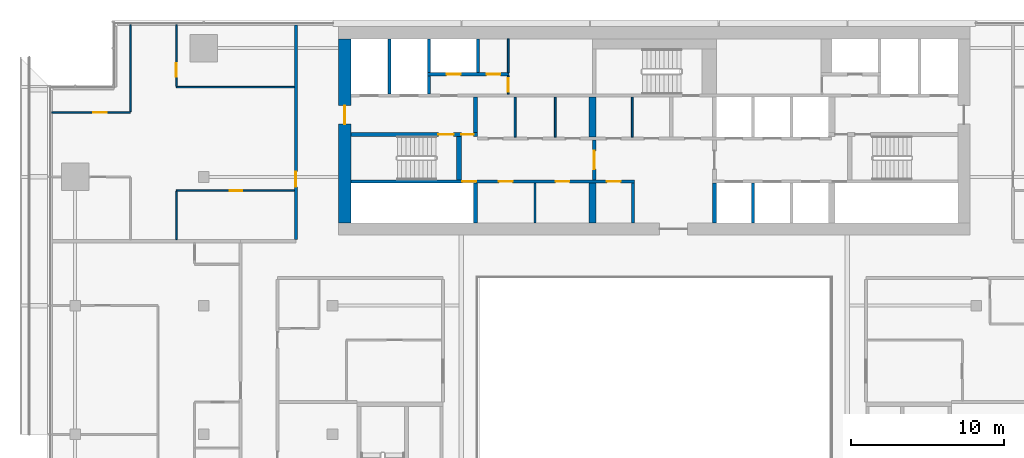
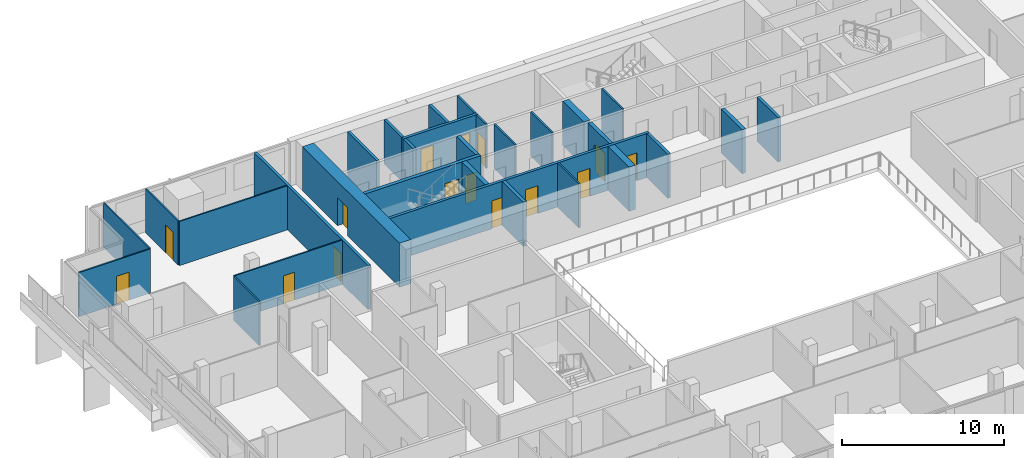
# One storey, part 19 of 27: 30 walls, 15 doors, 15 openings.
"""IFC4 building model written with IfcOpenShell, lengths in metres."""

from ifc_helpers import new_model, si_unit, direction, frame, frame_2d, origin, place, context, subcontext, project, spatial, rectangle, extrude, material, layer, layer_set, type_object, element, fill, save


model = new_model("IFC4")

# Units and contexts
model_context = context("Model", 3, precision=1e-05, world=origin(), true_north=direction((0.0, 1.0)))
body_context = subcontext(model_context, "Body", "Model", "MODEL_VIEW")
ifc_project = project(units=[si_unit("LENGTHUNIT", "METRE"), si_unit("AREAUNIT", "SQUARE_METRE"), si_unit("VOLUMEUNIT", "CUBIC_METRE"), si_unit("PLANEANGLEUNIT", "RADIAN"), si_unit("MASSUNIT", "GRAM", prefix="KILO")], contexts=[model_context])

# Site, building, storey
site_placement = place(None, origin())
site = spatial("IfcSite", under=ifc_project, at=site_placement, CompositionType="ELEMENT")
building_placement = place(site_placement, origin())
building = spatial("IfcBuilding", under=site, at=building_placement, Name="Saffron Gate Tower", CompositionType="ELEMENT")
storey_placement = place(building_placement, frame((0.0, 0.0, 183.449951171875)))
storey = spatial("IfcBuildingStorey", under=building, at=storey_placement, Name="L45", CompositionType="ELEMENT", Elevation=183.449951171875)

# Wall
ifc_material_1 = material(Name="Gypsum board partition on steel studs", Category="steel")
ifc_layer_1 = layer(ifc_material_1, 0.199951171875)
ifc_layer_set_1 = layer_set([ifc_layer_1], Name="CW10 Core partition 200")
wall_type_1 = type_object("IfcWallType", Name="CW10 Core partition 200", PredefinedType="PARTITIONING", material=ifc_layer_set_1)
wall_1_placement = place(storey_placement, frame((86.199951171875, 62.39990234375, 0.0), z_axis=(0.0, 0.0, 1.0), x_axis=(0.0, 1.0, 0.0)))
element("IfcWall", 1, at=wall_1_placement, inside=storey, type_object=wall_type_1, Name="Wall CW10-L45-8", PredefinedType="PARTITIONING", context=body_context, shape_type="SweptSolid", body=[
    extrude(rectangle(XDim=2.60009765625, YDim=0.199951171875, at=frame_2d((1.300048828125, 0.0))), origin(), (0.0, 0.0, 1.0), 3.320068359375),
])

# Wall, opening, door
ifc_material_2 = material(Name="Concrete C60", Category="concrete")
ifc_layer_2 = layer(ifc_material_2, 0.800048828125)
ifc_layer_set_2 = layer_set([ifc_layer_2], Name="CW13 RC core wall 800 C60")
wall_type_2 = type_object("IfcWallType", Name="CW13 RC core wall 800 C60", PredefinedType="SOLIDWALL", material=ifc_layer_set_2)
wall_2_placement = place(storey_placement, frame((67.39990234375, 62.39990234375, 0.0), z_axis=(0.0, 0.0, 1.0), x_axis=(0.0, 1.0, 0.0)))
wall_2 = element("IfcWall", 2, at=wall_2_placement, inside=storey, type_object=wall_type_2, Name="Wall CW13-L45-3", PredefinedType="SOLIDWALL", context=body_context, shape_type="SweptSolid", body=[
    extrude(rectangle(XDim=12.0, YDim=0.800048828125, at=frame_2d((6.0, 0.0))), origin(), (0.0, 0.0, 1.0), 3.320068359375),
])
opening_1_placement = place(wall_2_placement, frame((6.449951171875, 0.0, 0.0)))
opening_1 = element("IfcOpeningElement", 3, at=opening_1_placement, cuts=wall_2, Name="Opening CR-10", PredefinedType="OPENING", context=body_context, shape_type="SweptSolid", body=[
    extrude(rectangle(XDim=1.199951171875, YDim=2.10009765625, at=frame_2d((0.60009765625, 1.050048828125))), frame((0.0, 0.41015625, 0.0), z_axis=(0.0, -1.0, 0.0), x_axis=(1.0, 0.0, 0.0)), (0.0, 0.0, 1.0), 0.820068359375),
])
ifc_material_3 = material(Name="Steel fire door set", Category="steel")
door_type_1 = type_object("IfcDoorType", Name="CD7 Core entrance door 1200x2100 EI 120", OperationType="NOTDEFINED", PredefinedType="DOOR", material=ifc_material_3)
door_1_placement = place(opening_1_placement, origin())
door_1 = element("IfcDoor", 4, at=door_1_placement, inside=storey, type_object=door_type_1, Name="DOOR CR-10", OperationType="SINGLE_SWING_LEFT", OverallHeight=2.10009765625, OverallWidth=1.199951171875, PredefinedType="DOOR", context=body_context, shape_type="SweptSolid", body=[
    extrude(rectangle(XDim=1.199951171875, YDim=2.10009765625, at=frame_2d((0.60009765625, 1.050048828125))), frame((0.0, 0.02490234375, 0.0), z_axis=(0.0, -1.0, 0.0), x_axis=(1.0, 0.0, 0.0)), (0.0, 0.0, 1.0), 0.050048828125),
])
fill(opening_1, door_1)

# Walls
ifc_layer_3 = layer(ifc_material_2, 0.25)
ifc_layer_set_3 = layer_set([ifc_layer_3], Name="CW14 RC core wall 250 C60")
wall_type_3 = type_object("IfcWallType", Name="CW14 RC core wall 250 C60", PredefinedType="SOLIDWALL", material=ifc_layer_set_3)
for number, where, z_axis, x_axis, name in (
    (5, (75.925048828125, 62.39990234375, 0.0), (0.0, 0.0, 1.0), (0.0, 1.0, 0.0), "Wall CW14-L45-5"),
    (6, (91.52490234375, 62.39990234375, 0.0), (0.0, 0.0, 1.0), (0.0, 1.0, 0.0), "Wall CW14-L45-9"),
):
    element("IfcWall", number, at=place(storey_placement, frame(where, z_axis=z_axis, x_axis=x_axis)), inside=storey, type_object=wall_type_3, Name=name, PredefinedType="SOLIDWALL", context=body_context, shape_type="SweptSolid", body=[
        extrude(rectangle(XDim=2.60009765625, YDim=0.25, at=frame_2d((1.300048828125, 0.0))), origin(), (0.0, 0.0, 1.0), 3.320068359375),
    ])

# Wall, opening, door
wall_3_placement = place(storey_placement, frame((83.675048828125, 65.199951171875, 0.0), z_axis=(0.0, 0.0, 1.0), x_axis=(0.0, 1.0, 0.0)))
wall_3 = element("IfcWall", 7, at=wall_3_placement, inside=storey, type_object=wall_type_3, Name="Wall CW14-L45-16", PredefinedType="SOLIDWALL", context=body_context, shape_type="SweptSolid", body=[
    extrude(rectangle(XDim=2.60009765625, YDim=0.25, at=frame_2d((1.300048828125, 0.0))), origin(), (0.0, 0.0, 1.0), 3.320068359375),
])
opening_2_placement = place(wall_3_placement, frame((0.699951171875, 0.0, 0.0)))
opening_2 = element("IfcOpeningElement", 8, at=opening_2_placement, cuts=wall_3, Name="Opening CR-07", PredefinedType="OPENING", context=body_context, shape_type="SweptSolid", body=[
    extrude(rectangle(XDim=1.199951171875, YDim=2.10009765625, at=frame_2d((0.60009765625, 1.050048828125))), frame((0.0, 0.135009765625, 0.0), z_axis=(0.0, -1.0, 0.0), x_axis=(1.0, 0.0, 0.0)), (0.0, 0.0, 1.0), 0.27001953125),
])
door_type_2 = type_object("IfcDoorType", Name="CD3 Lobby door 1200x2100 EI 120", OperationType="NOTDEFINED", PredefinedType="DOOR", material=ifc_material_3)
door_2_placement = place(opening_2_placement, origin())
door_2 = element("IfcDoor", 9, at=door_2_placement, inside=storey, type_object=door_type_2, Name="DOOR CR-07", OperationType="SINGLE_SWING_RIGHT", OverallHeight=2.10009765625, OverallWidth=1.199951171875, PredefinedType="DOOR", context=body_context, shape_type="SweptSolid", body=[
    extrude(rectangle(XDim=1.199951171875, YDim=2.10009765625, at=frame_2d((0.60009765625, 1.050048828125))), frame((0.0, 0.02490234375, 0.0), z_axis=(0.0, -1.0, 0.0), x_axis=(1.0, 0.0, 0.0)), (0.0, 0.0, 1.0), 0.050048828125),
])
fill(opening_2, door_2)

# Wall, openings, doors
wall_4_placement = place(storey_placement, frame((67.800048828125, 68.175048828125, 0.0), z_axis=(0.0, 0.0, 1.0), x_axis=(1.0, 0.0, 0.0)))
wall_4 = element("IfcWall", 10, at=wall_4_placement, inside=storey, type_object=wall_type_3, Name="Wall CW14-L45-29", PredefinedType="SOLIDWALL", context=body_context, shape_type="SweptSolid", body=[
    extrude(rectangle(XDim=8.25, YDim=0.25, at=frame_2d((4.125, 0.0))), origin(), (0.0, 0.0, 1.0), 3.320068359375),
])
opening_3_placement = place(wall_4_placement, frame((5.699951171875, 0.0, 0.0)))
opening_3 = element("IfcOpeningElement", 11, at=opening_3_placement, cuts=wall_4, Name="Opening CR-15", PredefinedType="OPENING", context=body_context, shape_type="SweptSolid", body=[
    extrude(rectangle(XDim=1.0, YDim=2.10009765625, at=frame_2d((0.5, 1.050048828125))), frame((0.0, 0.135009765625, 0.0), z_axis=(0.0, -1.0, 0.0), x_axis=(1.0, 0.0, 0.0)), (0.0, 0.0, 1.0), 0.27001953125),
])
opening_4_placement = place(wall_4_placement, frame((7.199951171875, 0.0, 0.0)))
opening_4 = element("IfcOpeningElement", 12, at=opening_4_placement, cuts=wall_4, Name="Opening CR-06", PredefinedType="OPENING", context=body_context, shape_type="SweptSolid", body=[
    extrude(rectangle(XDim=0.800048828125, YDim=2.10009765625, at=frame_2d((0.39990234375, 1.050048828125))), frame((0.0, 0.135009765625, 0.0), z_axis=(0.0, -1.0, 0.0), x_axis=(1.0, 0.0, 0.0)), (0.0, 0.0, 1.0), 0.27001953125),
])
door_type_3 = type_object("IfcDoorType", Name="CD5 Stair door 1000x2100 EI 120", OperationType="NOTDEFINED", PredefinedType="DOOR", material=ifc_material_3)
door_3_placement = place(opening_3_placement, origin())
door_3 = element("IfcDoor", 13, at=door_3_placement, inside=storey, type_object=door_type_3, Name="DOOR CR-15", OperationType="SINGLE_SWING_RIGHT", OverallHeight=2.10009765625, OverallWidth=1.0, PredefinedType="DOOR", context=body_context, shape_type="SweptSolid", body=[
    extrude(rectangle(XDim=1.0, YDim=2.10009765625, at=frame_2d((0.5, 1.050048828125))), frame((0.0, 0.02490234375, 0.0), z_axis=(0.0, -1.0, 0.0), x_axis=(1.0, 0.0, 0.0)), (0.0, 0.0, 1.0), 0.050048828125),
])
fill(opening_3, door_3)
door_type_4 = type_object("IfcDoorType", Name="CD6 Lobby door 800x2100 EI 120", OperationType="NOTDEFINED", PredefinedType="DOOR", material=ifc_material_3)
door_4_placement = place(opening_4_placement, origin())
door_4 = element("IfcDoor", 14, at=door_4_placement, inside=storey, type_object=door_type_4, Name="DOOR CR-06", OperationType="SINGLE_SWING_LEFT", OverallHeight=2.10009765625, OverallWidth=0.800048828125, PredefinedType="DOOR", context=body_context, shape_type="SweptSolid", body=[
    extrude(rectangle(XDim=0.800048828125, YDim=2.10009765625, at=frame_2d((0.39990234375, 1.050048828125))), frame((0.0, 0.02490234375, 0.0), z_axis=(0.0, -1.0, 0.0), x_axis=(1.0, 0.0, 0.0)), (0.0, 0.0, 1.0), 0.050048828125),
])
fill(opening_4, door_4)

# Walls
wall_5_placement = place(storey_placement, frame((75.925048828125, 68.300048828125, 0.0), z_axis=(0.0, 0.0, 1.0), x_axis=(0.0, 1.0, 0.0)))
element("IfcWall", 15, at=wall_5_placement, inside=storey, type_object=wall_type_3, Name="Wall CW14-L45-31", PredefinedType="SOLIDWALL", context=body_context, shape_type="SweptSolid", body=[
    extrude(rectangle(XDim=2.300048828125, YDim=0.25, at=frame_2d((1.14990234375, 0.0))), origin(), (0.0, 0.0, 1.0), 3.320068359375),
])
ifc_layer_4 = layer(ifc_material_2, 0.199951171875)
ifc_layer_set_4 = layer_set([ifc_layer_4], Name="CW15 RC core wall 200 C60")
wall_type_4 = type_object("IfcWallType", Name="CW15 RC core wall 200 C60", PredefinedType="SOLIDWALL", material=ifc_layer_set_4)
wall_6_placement = place(storey_placement, frame((94.050048828125, 62.39990234375, 0.0), z_axis=(0.0, 0.0, 1.0), x_axis=(0.0, 1.0, 0.0)))
element("IfcWall", 16, at=wall_6_placement, inside=storey, type_object=wall_type_4, Name="Wall CW15-L45-10", PredefinedType="SOLIDWALL", context=body_context, shape_type="SweptSolid", body=[
    extrude(rectangle(XDim=2.60009765625, YDim=0.199951171875, at=frame_2d((1.300048828125, 0.0))), origin(), (0.0, 0.0, 1.0), 3.320068359375),
])

# Wall, openings, doors
wall_7_placement = place(storey_placement, frame((67.800048828125, 65.10009765625, 0.0), z_axis=(0.0, 0.0, 1.0), x_axis=(1.0, 0.0, 0.0)))
wall_7 = element("IfcWall", 17, at=wall_7_placement, inside=storey, type_object=wall_type_4, Name="Wall CW15-L45-13", PredefinedType="SOLIDWALL", context=body_context, shape_type="SweptSolid", body=[
    extrude(rectangle(XDim=18.5, YDim=0.199951171875, at=frame_2d((9.25, 0.0))), origin(), (0.0, 0.0, 1.0), 3.320068359375),
])
opening_5_placement = place(wall_7_placement, frame((7.27001953125, 0.0, 0.0)))
opening_5 = element("IfcOpeningElement", 18, at=opening_5_placement, cuts=wall_7, Name="Opening CR-49", PredefinedType="OPENING", context=body_context, shape_type="SweptSolid", body=[
    extrude(rectangle(XDim=0.89990234375, YDim=2.10009765625, at=frame_2d((0.449951171875, 1.050048828125))), frame((0.0, 0.10986328125, 0.0), z_axis=(0.0, -1.0, 0.0), x_axis=(1.0, 0.0, 0.0)), (0.0, 0.0, 1.0), 0.219970703125),
])
opening_6_placement = place(wall_7_placement, frame((9.64990234375, 0.0, 0.0)))
opening_6 = element("IfcOpeningElement", 19, at=opening_6_placement, cuts=wall_7, Name="Opening CR-64", PredefinedType="OPENING", context=body_context, shape_type="SweptSolid", body=[
    extrude(rectangle(XDim=0.89990234375, YDim=2.10009765625, at=frame_2d((0.449951171875, 1.050048828125))), frame((0.0, 0.10986328125, 0.0), z_axis=(0.0, -1.0, 0.0), x_axis=(1.0, 0.0, 0.0)), (0.0, 0.0, 1.0), 0.219970703125),
])
opening_7_placement = place(wall_7_placement, frame((13.360107421875, 0.0, 0.0)))
opening_7 = element("IfcOpeningElement", 20, at=opening_7_placement, cuts=wall_7, Name="Opening CR-65", PredefinedType="OPENING", context=body_context, shape_type="SweptSolid", body=[
    extrude(rectangle(XDim=0.89990234375, YDim=2.10009765625, at=frame_2d((0.449951171875, 1.050048828125))), frame((0.0, 0.10986328125, 0.0), z_axis=(0.0, -1.0, 0.0), x_axis=(1.0, 0.0, 0.0)), (0.0, 0.0, 1.0), 0.219970703125),
])
opening_8_placement = place(wall_7_placement, frame((16.699951171875, 0.0, 0.0)))
opening_8 = element("IfcOpeningElement", 21, at=opening_8_placement, cuts=wall_7, Name="Opening CR-69", PredefinedType="OPENING", context=body_context, shape_type="SweptSolid", body=[
    extrude(rectangle(XDim=0.89990234375, YDim=2.10009765625, at=frame_2d((0.449951171875, 1.050048828125))), frame((0.0, 0.10986328125, 0.0), z_axis=(0.0, -1.0, 0.0), x_axis=(1.0, 0.0, 0.0)), (0.0, 0.0, 1.0), 0.219970703125),
])
door_type_5 = type_object("IfcDoorType", Name="CD2 Riser door 900x2100 EI 60", OperationType="NOTDEFINED", PredefinedType="DOOR", material=ifc_material_3)
door_5_placement = place(opening_5_placement, origin())
door_5 = element("IfcDoor", 22, at=door_5_placement, inside=storey, type_object=door_type_5, Name="DOOR CR-49", OperationType="SINGLE_SWING_LEFT", OverallHeight=2.10009765625, OverallWidth=0.89990234375, PredefinedType="DOOR", context=body_context, shape_type="SweptSolid", body=[
    extrude(rectangle(XDim=0.89990234375, YDim=2.10009765625, at=frame_2d((0.449951171875, 1.050048828125))), frame((0.0, 0.02490234375, 0.0), z_axis=(0.0, -1.0, 0.0), x_axis=(1.0, 0.0, 0.0)), (0.0, 0.0, 1.0), 0.050048828125),
])
fill(opening_5, door_5)
door_type_6 = type_object("IfcDoorType", Name="CD9 Room door 900x2100 EI 60", OperationType="NOTDEFINED", PredefinedType="DOOR", material=ifc_material_3)
door_6_placement = place(opening_6_placement, origin())
door_6 = element("IfcDoor", 23, at=door_6_placement, inside=storey, type_object=door_type_6, Name="DOOR CR-64", OperationType="SINGLE_SWING_RIGHT", OverallHeight=2.10009765625, OverallWidth=0.89990234375, PredefinedType="DOOR", context=body_context, shape_type="SweptSolid", body=[
    extrude(rectangle(XDim=0.89990234375, YDim=2.10009765625, at=frame_2d((0.449951171875, 1.050048828125))), frame((0.0, 0.02490234375, 0.0), z_axis=(0.0, -1.0, 0.0), x_axis=(1.0, 0.0, 0.0)), (0.0, 0.0, 1.0), 0.050048828125),
])
fill(opening_6, door_6)
door_7_placement = place(opening_7_placement, origin())
door_7 = element("IfcDoor", 24, at=door_7_placement, inside=storey, type_object=door_type_6, Name="DOOR CR-65", OperationType="SINGLE_SWING_RIGHT", OverallHeight=2.10009765625, OverallWidth=0.89990234375, PredefinedType="DOOR", context=body_context, shape_type="SweptSolid", body=[
    extrude(rectangle(XDim=0.89990234375, YDim=2.10009765625, at=frame_2d((0.449951171875, 1.050048828125))), frame((0.0, 0.02490234375, 0.0), z_axis=(0.0, -1.0, 0.0), x_axis=(1.0, 0.0, 0.0)), (0.0, 0.0, 1.0), 0.050048828125),
])
fill(opening_7, door_7)
door_8_placement = place(opening_8_placement, origin())
door_8 = element("IfcDoor", 25, at=door_8_placement, inside=storey, type_object=door_type_6, Name="DOOR CR-69", OperationType="SINGLE_SWING_RIGHT", OverallHeight=2.10009765625, OverallWidth=0.89990234375, PredefinedType="DOOR", context=body_context, shape_type="SweptSolid", body=[
    extrude(rectangle(XDim=0.89990234375, YDim=2.10009765625, at=frame_2d((0.449951171875, 1.050048828125))), frame((0.0, 0.02490234375, 0.0), z_axis=(0.0, -1.0, 0.0), x_axis=(1.0, 0.0, 0.0)), (0.0, 0.0, 1.0), 0.050048828125),
])
fill(opening_8, door_8)

# Walls
wall_8_placement = place(storey_placement, frame((70.300048828125, 70.800048828125, 0.0), z_axis=(0.0, 0.0, 1.0), x_axis=(0.0, 1.0, 0.0)))
element("IfcWall", 26, at=wall_8_placement, inside=storey, type_object=wall_type_4, Name="Wall CW15-L45-34", PredefinedType="SOLIDWALL", context=body_context, shape_type="SweptSolid", body=[
    extrude(rectangle(XDim=3.599853515625, YDim=0.199951171875, at=frame_2d((1.7998046875, 0.0))), origin(), (0.0, 0.0, 1.0), 3.320068359375),
])
wall_9_placement = place(storey_placement, frame((72.89990234375, 70.800048828125, 0.0), z_axis=(0.0, 0.0, 1.0), x_axis=(0.0, 1.0, 0.0)))
element("IfcWall", 27, at=wall_9_placement, inside=storey, type_object=wall_type_4, Name="Wall CW15-L45-35", PredefinedType="SOLIDWALL", context=body_context, shape_type="SweptSolid", body=[
    extrude(rectangle(XDim=1.199951171875, YDim=0.199951171875, at=frame_2d((0.60009765625, 0.0))), origin(), (0.0, 0.0, 1.0), 3.320068359375),
])

# Wall, openings, doors
wall_10_placement = place(storey_placement, frame((72.800048828125, 72.10009765625, 0.0), z_axis=(0.0, 0.0, 1.0), x_axis=(1.0, 0.0, 0.0)))
wall_10 = element("IfcWall", 28, at=wall_10_placement, inside=storey, type_object=wall_type_4, Name="Wall CW15-L45-42", PredefinedType="SOLIDWALL", context=body_context, shape_type="SweptSolid", body=[
    extrude(rectangle(XDim=5.320068359375, YDim=0.199951171875, at=frame_2d((2.66015625, 0.0))), origin(), (0.0, 0.0, 1.0), 3.320068359375),
])
opening_9_placement = place(wall_10_placement, frame((1.25, 0.0, 0.0)))
opening_9 = element("IfcOpeningElement", 29, at=opening_9_placement, cuts=wall_10, Name="Opening CR-71", PredefinedType="OPENING", context=body_context, shape_type="SweptSolid", body=[
    extrude(rectangle(XDim=0.89990234375, YDim=2.10009765625, at=frame_2d((0.449951171875, 1.050048828125))), frame((0.0, 0.10986328125, 0.0), z_axis=(0.0, -1.0, 0.0), x_axis=(1.0, 0.0, 0.0)), (0.0, 0.0, 1.0), 0.219970703125),
])
opening_10_placement = place(wall_10_placement, frame((3.85009765625, 0.0, 0.0)))
opening_10 = element("IfcOpeningElement", 30, at=opening_10_placement, cuts=wall_10, Name="Opening CR-55", PredefinedType="OPENING", context=body_context, shape_type="SweptSolid", body=[
    extrude(rectangle(XDim=0.89990234375, YDim=2.10009765625, at=frame_2d((0.449951171875, 1.050048828125))), frame((0.0, 0.10986328125, 0.0), z_axis=(0.0, -1.0, 0.0), x_axis=(1.0, 0.0, 0.0)), (0.0, 0.0, 1.0), 0.219970703125),
])
door_9_placement = place(opening_9_placement, origin())
door_9 = element("IfcDoor", 31, at=door_9_placement, inside=storey, type_object=door_type_5, Name="DOOR CR-71", OperationType="SINGLE_SWING_LEFT", OverallHeight=2.10009765625, OverallWidth=0.89990234375, PredefinedType="DOOR", context=body_context, shape_type="SweptSolid", body=[
    extrude(rectangle(XDim=0.89990234375, YDim=2.10009765625, at=frame_2d((0.449951171875, 1.050048828125))), frame((0.0, 0.02490234375, 0.0), z_axis=(0.0, -1.0, 0.0), x_axis=(1.0, 0.0, 0.0)), (0.0, 0.0, 1.0), 0.050048828125),
])
fill(opening_9, door_9)
door_10_placement = place(opening_10_placement, origin())
door_10 = element("IfcDoor", 32, at=door_10_placement, inside=storey, type_object=door_type_6, Name="DOOR CR-55", OperationType="SINGLE_SWING_LEFT", OverallHeight=2.10009765625, OverallWidth=0.89990234375, PredefinedType="DOOR", context=body_context, shape_type="SweptSolid", body=[
    extrude(rectangle(XDim=0.89990234375, YDim=2.10009765625, at=frame_2d((0.449951171875, 1.050048828125))), frame((0.0, 0.02490234375, 0.0), z_axis=(0.0, -1.0, 0.0), x_axis=(1.0, 0.0, 0.0)), (0.0, 0.0, 1.0), 0.050048828125),
])
fill(opening_10, door_10)

# Walls
for number, where, z_axis, x_axis, name in (
    (33, (72.89990234375, 72.199951171875, 0.0), (0.0, 0.0, 1.0), (0.0, 1.0, 0.0), "Wall CW15-L45-44"),
    (34, (76.10009765625, 72.199951171875, 0.0), (0.0, 0.0, 1.0), (0.0, 1.0, 0.0), "Wall CW15-L45-45"),
):
    element("IfcWall", number, at=place(storey_placement, frame(where, z_axis=z_axis, x_axis=x_axis)), inside=storey, type_object=wall_type_4, Name=name, PredefinedType="SOLIDWALL", context=body_context, shape_type="SweptSolid", body=[
        extrude(rectangle(XDim=2.199951171875, YDim=0.199951171875, at=frame_2d((1.10009765625, 0.0))), origin(), (0.0, 0.0, 1.0), 3.320068359375),
    ])
ifc_layer_5 = layer(ifc_material_2, 0.449951171875)
ifc_layer_set_5 = layer_set([ifc_layer_5], Name="CW16 RC core wall 450 C60")
wall_type_5 = type_object("IfcWallType", Name="CW16 RC core wall 450 C60", PredefinedType="SOLIDWALL", material=ifc_layer_set_5)
for number, where, z_axis, x_axis, name in (
    (35, (83.574951171875, 62.39990234375, 0.0), (0.0, 0.0, 1.0), (0.0, 1.0, 0.0), "Wall CW16-L45-7"),
    (36, (83.574951171875, 68.0, 0.0), (0.0, 0.0, 1.0), (0.0, 1.0, 0.0), "Wall CW16-L45-22"),
):
    element("IfcWall", number, at=place(storey_placement, frame(where, z_axis=z_axis, x_axis=x_axis)), inside=storey, type_object=wall_type_5, Name=name, PredefinedType="SOLIDWALL", context=body_context, shape_type="SweptSolid", body=[
        extrude(rectangle(XDim=2.60009765625, YDim=0.449951171875, at=frame_2d((1.300048828125, 0.0))), origin(), (0.0, 0.0, 1.0), 3.320068359375),
    ])
ifc_layer_6 = layer(ifc_material_2, 0.300048828125)
ifc_layer_set_6 = layer_set([ifc_layer_6], Name="CW17 RC core wall 300 C60")
wall_type_6 = type_object("IfcWallType", Name="CW17 RC core wall 300 C60", PredefinedType="SOLIDWALL", material=ifc_layer_set_6)
wall_11_placement = place(storey_placement, frame((74.85009765625, 65.199951171875, 0.0), z_axis=(0.0, 0.0, 1.0), x_axis=(0.0, 1.0, 0.0)))
element("IfcWall", 37, at=wall_11_placement, inside=storey, type_object=wall_type_6, Name="Wall CW17-L45-15", PredefinedType="SOLIDWALL", context=body_context, shape_type="SweptSolid", body=[
    extrude(rectangle(XDim=2.85009765625, YDim=0.300048828125, at=frame_2d((1.425048828125, 0.0))), origin(), (0.0, 0.0, 1.0), 3.320068359375),
])
ifc_layer_7 = layer(ifc_material_1, 0.1201171875)
ifc_layer_set_7 = layer_set([ifc_layer_7], Name="CW8 Core partition 120")
wall_type_7 = type_object("IfcWallType", Name="CW8 Core partition 120", PredefinedType="PARTITIONING", material=ifc_layer_set_7)
for number, where, z_axis, x_axis, name in (
    (38, (79.81005859375, 62.39990234375, 0.0), (0.0, 0.0, 1.0), (0.0, 1.0, 0.0), "Wall CW8-L45-6"),
    (39, (78.510009765625, 68.0, 0.0), (0.0, 0.0, 1.0), (0.0, 1.0, 0.0), "Wall CW8-L45-20"),
    (40, (81.1298828125, 68.0, 0.0), (0.0, 0.0, 1.0), (0.0, 1.0, 0.0), "Wall CW8-L45-21"),
    (41, (86.159912109375, 68.0, 0.0), (0.0, 0.0, 1.0), (0.0, 1.0, 0.0), "Wall CW8-L45-23"),
):
    element("IfcWall", number, at=place(storey_placement, frame(where, z_axis=z_axis, x_axis=x_axis)), inside=storey, type_object=wall_type_7, Name=name, PredefinedType="PARTITIONING", context=body_context, shape_type="SweptSolid", body=[
        extrude(rectangle(XDim=2.60009765625, YDim=0.1201171875, at=frame_2d((1.300048828125, 0.0))), origin(), (0.0, 0.0, 1.0), 3.320068359375),
    ])

# Wall, opening, door
wall_12_placement = place(storey_placement, frame((78.06005859375, 70.800048828125, 0.0), z_axis=(0.0, 0.0, 1.0), x_axis=(0.0, 1.0, 0.0)))
wall_12 = element("IfcWall", 42, at=wall_12_placement, inside=storey, type_object=wall_type_7, Name="Wall CW8-L45-36", PredefinedType="PARTITIONING", context=body_context, shape_type="SweptSolid", body=[
    extrude(rectangle(XDim=1.199951171875, YDim=0.1201171875, at=frame_2d((0.60009765625, 0.0))), origin(), (0.0, 0.0, 1.0), 3.320068359375),
])
opening_11_placement = place(wall_12_placement, frame((0.14990234375, 0.0, 0.0)))
opening_11 = element("IfcOpeningElement", 43, at=opening_11_placement, cuts=wall_12, Name="Opening CR-60", PredefinedType="OPENING", context=body_context, shape_type="SweptSolid", body=[
    extrude(rectangle(XDim=0.89990234375, YDim=2.10009765625, at=frame_2d((0.449951171875, 1.050048828125))), frame((0.0, 0.070068359375, 0.0), z_axis=(0.0, -1.0, 0.0), x_axis=(1.0, 0.0, 0.0)), (0.0, 0.0, 1.0), 0.14013671875),
])
door_11_placement = place(opening_11_placement, origin())
door_11 = element("IfcDoor", 44, at=door_11_placement, inside=storey, type_object=door_type_6, Name="DOOR CR-60", OperationType="SINGLE_SWING_RIGHT", OverallHeight=2.10009765625, OverallWidth=0.89990234375, PredefinedType="DOOR", context=body_context, shape_type="SweptSolid", body=[
    extrude(rectangle(XDim=0.89990234375, YDim=2.10009765625, at=frame_2d((0.449951171875, 1.050048828125))), frame((0.0, 0.02490234375, 0.0), z_axis=(0.0, -1.0, 0.0), x_axis=(1.0, 0.0, 0.0)), (0.0, 0.0, 1.0), 0.050048828125),
])
fill(opening_11, door_11)

# Wall
wall_13_placement = place(storey_placement, frame((78.06005859375, 72.199951171875, 0.0), z_axis=(0.0, 0.0, 1.0), x_axis=(0.0, 1.0, 0.0)))
element("IfcWall", 45, at=wall_13_placement, inside=storey, type_object=wall_type_7, Name="Wall CW8-L45-46", PredefinedType="PARTITIONING", context=body_context, shape_type="SweptSolid", body=[
    extrude(rectangle(XDim=2.199951171875, YDim=0.1201171875, at=frame_2d((1.10009765625, 0.0))), origin(), (0.0, 0.0, 1.0), 3.320068359375),
])

# Wall, opening, door
ifc_material_4 = material(Name="Plasterboard on steel studs", Category="steel")
ifc_layer_8 = layer(ifc_material_4, 0.10009765625)
ifc_layer_set_8 = layer_set([ifc_layer_8], Name="PW1 Partition 100")
wall_type_8 = type_object("IfcWallType", Name="PW1 Partition 100", PredefinedType="PARTITIONING", material=ifc_layer_set_8)
wall_14_placement = place(storey_placement, frame((64.10009765625, 64.5, 0.0), z_axis=(0.0, 0.0, 1.0), x_axis=(-1.0, 0.0, 0.0)))
wall_14 = element("IfcWall", 46, at=wall_14_placement, inside=storey, type_object=wall_type_8, Name="Partition C4-47", PredefinedType="PARTITIONING", context=body_context, shape_type="SweptSolid", body=[
    extrude(rectangle(XDim=7.7001953125, YDim=0.10009765625, at=frame_2d((3.85009765625, 0.0))), origin(), (0.0, 0.0, 1.0), 3.320068359375),
])
opening_12_placement = place(wall_14_placement, frame((3.39990234375, 0.0, 0.0)))
opening_12 = element("IfcOpeningElement", 47, at=opening_12_placement, cuts=wall_14, Name="Opening C4-48", PredefinedType="OPENING", context=body_context, shape_type="SweptSolid", body=[
    extrude(rectangle(XDim=0.800048828125, YDim=2.10009765625, at=frame_2d((0.39990234375, 1.050048828125))), frame((0.0, 0.06005859375, 0.0), z_axis=(0.0, -1.0, 0.0), x_axis=(1.0, 0.0, 0.0)), (0.0, 0.0, 1.0), 0.1201171875),
])
ifc_material_5 = material(Name="Timber door set", Category="wood")
door_type_7 = type_object("IfcDoorType", Name="RD2 Bathroom door 800x2100", OperationType="NOTDEFINED", PredefinedType="DOOR", material=ifc_material_5)
door_12_placement = place(opening_12_placement, origin())
door_12 = element("IfcDoor", 48, at=door_12_placement, inside=storey, type_object=door_type_7, Name="Door C4-48", OperationType="SINGLE_SWING_LEFT", OverallHeight=2.10009765625, OverallWidth=0.800048828125, PredefinedType="DOOR", context=body_context, shape_type="SweptSolid", body=[
    extrude(rectangle(XDim=0.800048828125, YDim=2.10009765625, at=frame_2d((0.39990234375, 1.050048828125))), frame((0.0, 0.02490234375, 0.0), z_axis=(0.0, -1.0, 0.0), x_axis=(1.0, 0.0, 0.0)), (0.0, 0.0, 1.0), 0.050048828125),
])
fill(opening_12, door_12)

wall_15_placement = place(storey_placement, frame((48.280029296875, 69.60009765625, 0.0), z_axis=(0.0, 0.0, 1.0), x_axis=(1.0, 0.0, 0.0)))
wall_15 = element("IfcWall", 49, at=wall_15_placement, inside=storey, type_object=wall_type_8, Name="Partition C4-53", PredefinedType="PARTITIONING", context=body_context, shape_type="SweptSolid", body=[
    extrude(rectangle(XDim=5.119873046875, YDim=0.10009765625, at=frame_2d((2.56005859375, 0.0))), origin(), (0.0, 0.0, 1.0), 3.320068359375),
])
opening_13_placement = place(wall_15_placement, frame((2.68701171875, 0.0, 0.0)))
opening_13 = element("IfcOpeningElement", 50, at=opening_13_placement, cuts=wall_15, Name="Opening C4-30", PredefinedType="OPENING", context=body_context, shape_type="SweptSolid", body=[
    extrude(rectangle(XDim=0.89990234375, YDim=2.10009765625, at=frame_2d((0.449951171875, 1.050048828125))), frame((0.0, 0.06005859375, 0.0), z_axis=(0.0, -1.0, 0.0), x_axis=(1.0, 0.0, 0.0)), (0.0, 0.0, 1.0), 0.1201171875),
])
door_type_8 = type_object("IfcDoorType", Name="RD1 Room door 900x2100", OperationType="NOTDEFINED", PredefinedType="DOOR", material=ifc_material_5)
door_13_placement = place(opening_13_placement, origin())
door_13 = element("IfcDoor", 51, at=door_13_placement, inside=storey, type_object=door_type_8, Name="Door C4-30", OperationType="SINGLE_SWING_RIGHT", OverallHeight=2.10009765625, OverallWidth=0.89990234375, PredefinedType="DOOR", context=body_context, shape_type="SweptSolid", body=[
    extrude(rectangle(XDim=0.89990234375, YDim=2.10009765625, at=frame_2d((0.449951171875, 1.050048828125))), frame((0.0, 0.02490234375, 0.0), z_axis=(0.0, -1.0, 0.0), x_axis=(1.0, 0.0, 0.0)), (0.0, 0.0, 1.0), 0.050048828125),
])
fill(opening_13, door_13)

# Walls
wall_16_placement = place(storey_placement, frame((56.39990234375, 71.25634765625, 0.0), z_axis=(0.0, 0.0, 1.0), x_axis=(1.0, 0.0, 0.0)))
element("IfcWall", 52, at=wall_16_placement, inside=storey, type_object=wall_type_8, Name="Partition C4-55", PredefinedType="PARTITIONING", context=body_context, shape_type="SweptSolid", body=[
    extrude(rectangle(XDim=7.7001953125, YDim=0.10009765625, at=frame_2d((3.85009765625, 0.0))), origin(), (0.0, 0.0, 1.0), 3.320068359375),
])
wall_17_placement = place(storey_placement, frame((53.39990234375, 75.320068359375, 0.0), z_axis=(0.0, 0.0, 1.0), x_axis=(0.0, -1.0, 0.0)))
element("IfcWall", 53, at=wall_17_placement, inside=storey, type_object=wall_type_8, Name="Partition C4-58", PredefinedType="PARTITIONING", context=body_context, shape_type="SweptSolid", body=[
    extrude(rectangle(XDim=5.670166015625, YDim=0.10009765625, at=frame_2d((2.8349609375, 0.0))), origin(), (0.0, 0.0, 1.0), 3.320068359375),
])
wall_18_placement = place(storey_placement, frame((56.39990234375, 64.449951171875, 0.0), z_axis=(0.0, 0.0, 1.0), x_axis=(0.0, -1.0, 0.0)))
element("IfcWall", 54, at=wall_18_placement, inside=storey, type_object=wall_type_8, Name="Partition C4-62", PredefinedType="PARTITIONING", context=body_context, shape_type="SweptSolid", body=[
    extrude(rectangle(XDim=3.14990234375, YDim=0.10009765625, at=frame_2d((1.574951171875, 0.0))), origin(), (0.0, 0.0, 1.0), 3.320068359375),
])

# Wall, opening, door
wall_19_placement = place(storey_placement, frame((56.39990234375, 75.320068359375, 0.0), z_axis=(0.0, 0.0, 1.0), x_axis=(0.0, -1.0, 0.0)))
wall_19 = element("IfcWall", 55, at=wall_19_placement, inside=storey, type_object=wall_type_8, Name="Partition C4-63", PredefinedType="PARTITIONING", context=body_context, shape_type="SweptSolid", body=[
    extrude(rectangle(XDim=4.013671875, YDim=0.10009765625, at=frame_2d((2.0068359375, 0.0))), origin(), (0.0, 0.0, 1.0), 3.320068359375),
])
opening_14_placement = place(wall_19_placement, frame((2.49169921875, 0.0, 0.0)))
opening_14 = element("IfcOpeningElement", 56, at=opening_14_placement, cuts=wall_19, Name="Opening C4-31", PredefinedType="OPENING", context=body_context, shape_type="SweptSolid", body=[
    extrude(rectangle(XDim=0.89990234375, YDim=2.10009765625, at=frame_2d((0.449951171875, 1.050048828125))), frame((0.0, 0.06005859375, 0.0), z_axis=(0.0, -1.0, 0.0), x_axis=(1.0, 0.0, 0.0)), (0.0, 0.0, 1.0), 0.1201171875),
])
door_14_placement = place(opening_14_placement, origin())
door_14 = element("IfcDoor", 57, at=door_14_placement, inside=storey, type_object=door_type_8, Name="Door C4-31", OperationType="SINGLE_SWING_RIGHT", OverallHeight=2.10009765625, OverallWidth=0.89990234375, PredefinedType="DOOR", context=body_context, shape_type="SweptSolid", body=[
    extrude(rectangle(XDim=0.89990234375, YDim=2.10009765625, at=frame_2d((0.449951171875, 1.050048828125))), frame((0.0, 0.02490234375, 0.0), z_axis=(0.0, -1.0, 0.0), x_axis=(1.0, 0.0, 0.0)), (0.0, 0.0, 1.0), 0.050048828125),
])
fill(opening_14, door_14)

ifc_material_6 = material(Name="Clay brick masonry, rendered", Category="masonry")
ifc_layer_9 = layer(ifc_material_6, 0.199951171875)
ifc_layer_set_9 = layer_set([ifc_layer_9], Name="PW3 Corridor wall 200")
wall_type_9 = type_object("IfcWallType", Name="PW3 Corridor wall 200", PredefinedType="PARTITIONING", material=ifc_layer_set_9)
wall_20_placement = place(storey_placement, frame((64.199951171875, 61.300048828125, 0.0), z_axis=(0.0, 0.0, 1.0), x_axis=(0.0, 1.0, 0.0)))
wall_20 = element("IfcWall", 58, at=wall_20_placement, inside=storey, type_object=wall_type_9, Name="Wall C4-70", PredefinedType="PARTITIONING", context=body_context, shape_type="SweptSolid", body=[
    extrude(rectangle(XDim=14.02001953125, YDim=0.199951171875, at=frame_2d((7.010009765625, 0.0))), origin(), (0.0, 0.0, 1.0), 3.320068359375),
])
opening_15_placement = place(wall_20_placement, frame((3.449951171875, 0.0, 0.0)))
opening_15 = element("IfcOpeningElement", 59, at=opening_15_placement, cuts=wall_20, Name="Opening C4-5", PredefinedType="OPENING", context=body_context, shape_type="SweptSolid", body=[
    extrude(rectangle(XDim=1.0, YDim=2.10009765625, at=frame_2d((0.5, 1.050048828125))), frame((0.0, 0.10986328125, 0.0), z_axis=(0.0, -1.0, 0.0), x_axis=(1.0, 0.0, 0.0)), (0.0, 0.0, 1.0), 0.219970703125),
])
ifc_material_7 = material(Name="Timber fire door set", Category="wood")
door_type_9 = type_object("IfcDoorType", Name="FD1 Flat entry door 1000x2100", OperationType="NOTDEFINED", PredefinedType="DOOR", material=ifc_material_7)
door_15_placement = place(opening_15_placement, origin())
door_15 = element("IfcDoor", 60, at=door_15_placement, inside=storey, type_object=door_type_9, Name="Door C4-5", OperationType="SINGLE_SWING_LEFT", OverallHeight=2.10009765625, OverallWidth=1.0, PredefinedType="DOOR", context=body_context, shape_type="SweptSolid", body=[
    extrude(rectangle(XDim=1.0, YDim=2.10009765625, at=frame_2d((0.5, 1.050048828125))), frame((0.0, 0.02490234375, 0.0), z_axis=(0.0, -1.0, 0.0), x_axis=(1.0, 0.0, 0.0)), (0.0, 0.0, 1.0), 0.050048828125),
])
fill(opening_15, door_15)

save(model, "model.ifc")
